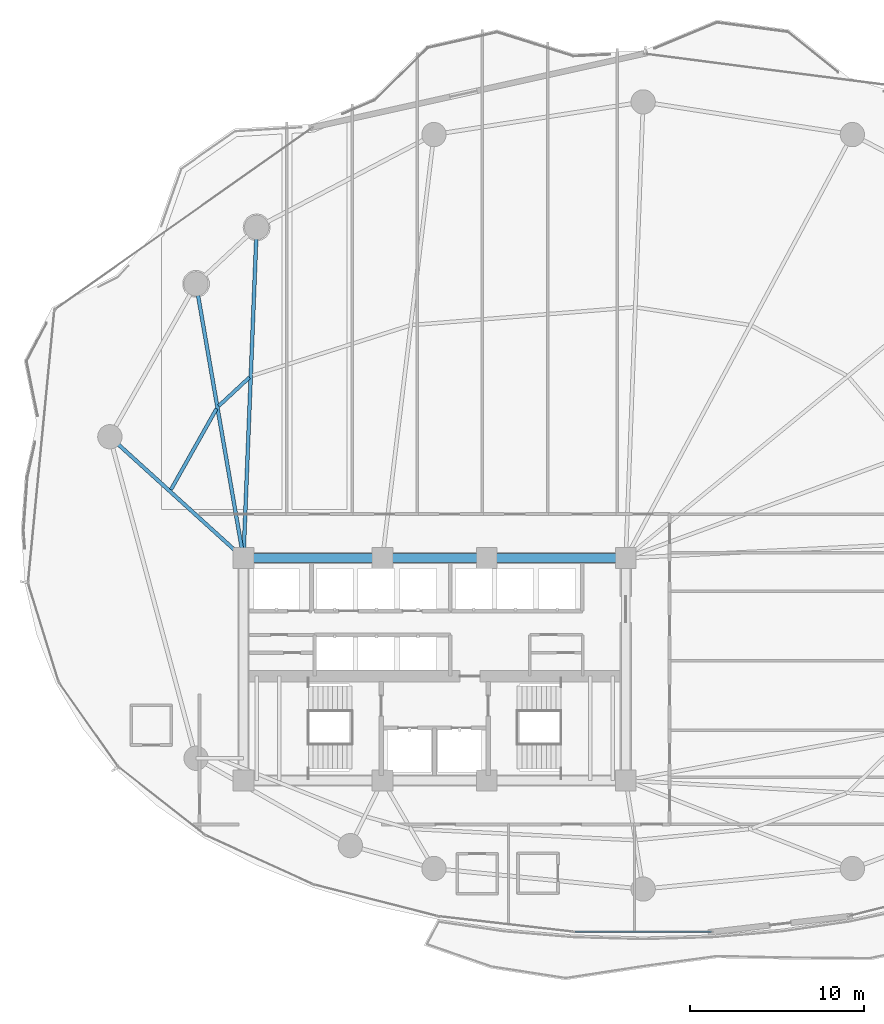
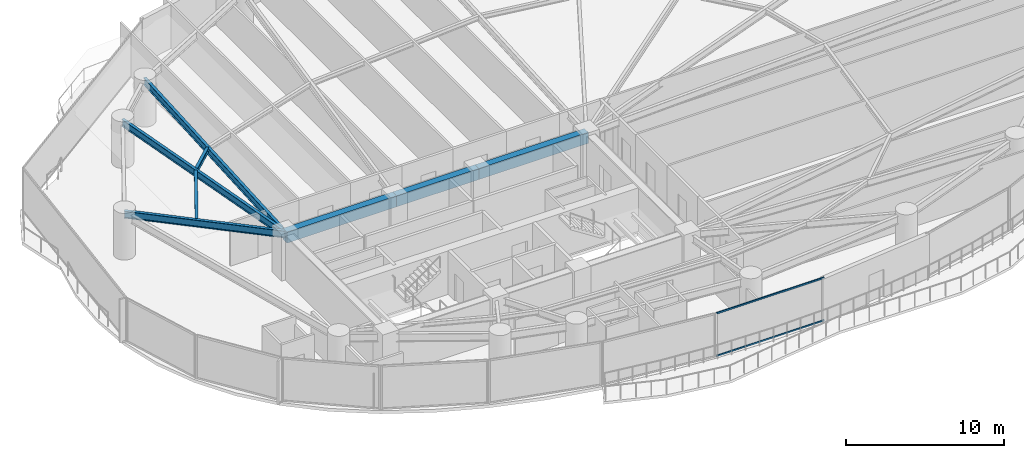
# One storey, part 9 of 32: 8 beams, 2 members, 1 element without a shape of its own.
"""IFC4 building model written with IfcOpenShell, lengths in metres."""

from ifc_helpers import new_model, si_unit, direction, frame, origin, origin_2d, place, context, subcontext, project, spatial, rectangle, hollow_rectangle, i_section, extrude, material, layer, layer_set, material_profile, profile_set, type_object, element, aggregate, save


model = new_model("IFC4")

# Units and contexts
model_context = context("Model", 3, precision=1e-05, world=origin(), true_north=direction((0.0, 1.0)))
body_context = subcontext(model_context, "Body", "Model", "MODEL_VIEW")
ifc_project = project(units=[si_unit("LENGTHUNIT", "METRE"), si_unit("AREAUNIT", "SQUARE_METRE"), si_unit("VOLUMEUNIT", "CUBIC_METRE"), si_unit("PLANEANGLEUNIT", "RADIAN"), si_unit("MASSUNIT", "GRAM", prefix="KILO")], contexts=[model_context])

# Site, building, storey
site_placement = place(None, origin())
site = spatial("IfcSite", under=ifc_project, at=site_placement, CompositionType="ELEMENT")
building_placement = place(site_placement, origin())
building = spatial("IfcBuilding", under=site, at=building_placement, Name="Kazevale Care Tower and Concert Hall", CompositionType="ELEMENT")
storey_placement = place(building_placement, frame((0.0, 0.0, 42.0)))
storey = spatial("IfcBuildingStorey", under=building, at=storey_placement, Name="L10", CompositionType="ELEMENT", Elevation=42.0)

# Curtain wall, members
ifc_material_1 = material(Name="Aluminium 6063-T6 and Low-E Glass", Category="aluminium")
ifc_layer = layer(ifc_material_1, 0.179931640625)
ifc_layer_set = layer_set([ifc_layer], Name="Aluminium 6063-T6 and Low-E Glass")
curtain_wall_type = type_object("IfcCurtainWallType", Name="Sheltered Concave Balcony Curtain Wall CW-5", PredefinedType="NOTDEFINED", material=ifc_layer_set)
curtain_wall_placement = place(storey_placement, origin())
curtain_wall = element("IfcCurtainWall", 1, at=curtain_wall_placement, inside=storey, type_object=curtain_wall_type, Name="cw:L10:f06", PredefinedType="NOTDEFINED")
ifc_material_2 = material(Name="Aluminium 6063-T6", Category="aluminium")
ifc_material_profile_1 = material_profile(ifc_material_2, hollow_rectangle(XDim=0.074951171875, YDim=0.1201171875, WallThickness=0.00390625, at=origin_2d()), Name="ALU75x120x4")
ifc_profile_set_1 = profile_set([ifc_material_profile_1], Name="Aluminium 6063-T6")
member_type = type_object("IfcMemberType", Name="CW-5 Transom ALU75x120x4", PredefinedType="USERDEFINED", material=ifc_profile_set_1)
member_1_placement = place(storey_placement, frame((48.923095703125, 14.889892578125, 0.03759765625), z_axis=(-1.0, 0.0, 0.0), x_axis=(0.0, -1.0, 0.0)))
member_1 = element("IfcMember", 2, at=member_1_placement, type_object=member_type, Name="CW-5 transom 1.1", ObjectType="TRANSOM", PredefinedType="USERDEFINED", context=body_context, shape_type="SweptSolid", body=[
    extrude(hollow_rectangle(XDim=0.074951171875, YDim=0.1201171875, WallThickness=0.00390625, at=origin_2d()), origin(), (0.0, 0.0, 1.0), 7.84619140625),
])
member_2_placement = place(storey_placement, frame((48.923095703125, 14.889892578125, 3.322509765625), z_axis=(-1.0, 0.0, 0.0), x_axis=(0.0, -1.0, 0.0)))
member_2 = element("IfcMember", 3, at=member_2_placement, type_object=member_type, Name="CW-5 transom 1.2", ObjectType="TRANSOM", PredefinedType="USERDEFINED", context=body_context, shape_type="SweptSolid", body=[
    extrude(hollow_rectangle(XDim=0.074951171875, YDim=0.1201171875, WallThickness=0.00390625, at=origin_2d()), origin(), (0.0, 0.0, 1.0), 7.84619140625),
])
aggregate(curtain_wall, [member_1, member_2])

# Beams
ifc_material_3 = material(Name="Concrete C60", Category="concrete")
ifc_material_profile_2 = material_profile(ifc_material_3, rectangle(XDim=0.5, YDim=0.85009765625, at=origin_2d()), Name="RC-B500x850")
ifc_profile_set_2 = profile_set([ifc_material_profile_2], Name="Concrete C60")
beam_type_1 = type_object("IfcBeamType", Name="Core Coupling Beam RC500x850", PredefinedType="LINTEL", material=ifc_profile_set_2)
beam_1_placement = place(storey_placement, frame((44.0, 36.39990234375, 2.93505859375), z_axis=(-1.0, 0.0, 0.0), x_axis=(0.0, -1.0, 0.0)))
element("IfcBeam", 4, at=beam_1_placement, inside=storey, type_object=beam_type_1, Name="beam:L10:coretie:5", PredefinedType="LINTEL", context=body_context, shape_type="SweptSolid", body=[
    extrude(rectangle(XDim=0.5, YDim=0.85009765625, at=origin_2d()), origin(), (0.0, 0.0, 1.0), 8.0),
])
beam_2_placement = place(storey_placement, frame((36.0, 36.39990234375, 2.93505859375), z_axis=(-1.0, 0.0, 0.0), x_axis=(0.0, -1.0, 0.0)))
element("IfcBeam", 5, at=beam_2_placement, inside=storey, type_object=beam_type_1, Name="beam:L10:coretie:6", PredefinedType="LINTEL", context=body_context, shape_type="SweptSolid", body=[
    extrude(rectangle(XDim=0.5, YDim=0.85009765625, at=origin_2d()), origin(), (0.0, 0.0, 1.0), 6.0),
])
beam_3_placement = place(storey_placement, frame((30.0, 36.39990234375, 2.93505859375), z_axis=(-1.0, 0.0, 0.0), x_axis=(0.0, -1.0, 0.0)))
element("IfcBeam", 6, at=beam_3_placement, inside=storey, type_object=beam_type_1, Name="beam:L10:coretie:7", PredefinedType="LINTEL", context=body_context, shape_type="SweptSolid", body=[
    extrude(rectangle(XDim=0.5, YDim=0.85009765625, at=origin_2d()), origin(), (0.0, 0.0, 1.0), 8.0),
])
ifc_material_4 = material(Name="Steel ASTM A572 Gr 50", Category="steel")
ifc_material_profile_3 = material_profile(ifc_material_4, i_section(OverallWidth=0.2119140625, OverallDepth=0.5439453125, WebThickness=0.01318359375, FlangeThickness=0.021240234375, at=origin_2d()), Name="W530x123")
ifc_profile_set_3 = profile_set([ifc_material_profile_3], Name="Steel ASTM A572 Gr 50")
beam_type_2 = type_object("IfcBeamType", Name="Radial Floor Girder W530x123", PredefinedType="BEAM", material=ifc_profile_set_3)
beam_4_placement = place(storey_placement, frame((22.0, 36.39990234375, 3.087890625), z_axis=(0.039905581428, 0.999203455044, 0.0), x_axis=(-0.999203455044, 0.039905581428, 0.0)))
element("IfcBeam", 7, at=beam_4_placement, inside=storey, type_object=beam_type_2, Name="beam:L10:rad:07", PredefinedType="BEAM", context=body_context, shape_type="SweptSolid", body=[
    extrude(i_section(OverallWidth=0.2119140625, OverallDepth=0.5439453125, WebThickness=0.01318359375, FlangeThickness=0.021240234375, at=origin_2d()), origin(), (0.0, 0.0, 1.0), 19.045166015625),
])
beam_5_placement = place(storey_placement, frame((22.0, 36.39990234375, 3.087890625), z_axis=(-0.170469986865, 0.985362868987, 0.0), x_axis=(-0.985362868987, -0.170469986865, 0.0)))
element("IfcBeam", 8, at=beam_5_placement, inside=storey, type_object=beam_type_2, Name="beam:L10:rad:08", PredefinedType="BEAM", context=body_context, shape_type="SweptSolid", body=[
    extrude(i_section(OverallWidth=0.2119140625, OverallDepth=0.5439453125, WebThickness=0.01318359375, FlangeThickness=0.021240234375, at=origin_2d()), origin(), (0.0, 0.0, 1.0), 16.014404296875),
])
beam_6_placement = place(storey_placement, frame((22.0, 36.39990234375, 3.087890625), z_axis=(-0.740461073653, 0.672099247436, 0.0), x_axis=(-0.672099247436, -0.740461073653, 0.0)))
element("IfcBeam", 9, at=beam_6_placement, inside=storey, type_object=beam_type_2, Name="beam:L10:rad:09", PredefinedType="BEAM", context=body_context, shape_type="SweptSolid", body=[
    extrude(i_section(OverallWidth=0.2119140625, OverallDepth=0.5439453125, WebThickness=0.01318359375, FlangeThickness=0.021240234375, at=origin_2d()), origin(), (0.0, 0.0, 1.0), 10.38525390625),
])
ifc_material_profile_4 = material_profile(ifc_material_4, i_section(OverallWidth=0.205078125, OverallDepth=0.35400390625, WebThickness=0.009521484375, FlangeThickness=0.016845703125, at=origin_2d()), Name="W360x79")
ifc_profile_set_4 = profile_set([ifc_material_profile_4], Name="Steel ASTM A572 Gr 50")
beam_type_3 = type_object("IfcBeamType", Name="Secondary Floor Joist W360x79", PredefinedType="JOIST", material=ifc_profile_set_4)
beam_7_placement = place(storey_placement, frame((22.341064453125, 46.794921875, 3.18310546875), z_axis=(-0.73194965424, -0.68135871878, 0.0), x_axis=(0.68135871878, -0.73194965424, 0.0)))
element("IfcBeam", 10, at=beam_7_placement, inside=storey, type_object=beam_type_3, Name="beam:L10:joist:07", PredefinedType="JOIST", context=body_context, shape_type="SweptSolid", body=[
    extrude(i_section(OverallWidth=0.205078125, OverallDepth=0.35400390625, WebThickness=0.009521484375, FlangeThickness=0.016845703125, at=origin_2d()), origin(), (0.0, 0.0, 1.0), 2.412841796875),
])
beam_8_placement = place(storey_placement, frame((20.447021484375, 44.988037109375, 3.18310546875), z_axis=(-0.490956987312, -0.871183813331, 0.0), x_axis=(0.871183813331, -0.490956987312, 0.0)))
element("IfcBeam", 11, at=beam_8_placement, inside=storey, type_object=beam_type_3, Name="beam:L10:joist:08", PredefinedType="JOIST", context=body_context, shape_type="SweptSolid", body=[
    extrude(i_section(OverallWidth=0.205078125, OverallDepth=0.35400390625, WebThickness=0.009521484375, FlangeThickness=0.016845703125, at=origin_2d()), origin(), (0.0, 0.0, 1.0), 5.3466796875),
])

save(model, "model.ifc")
